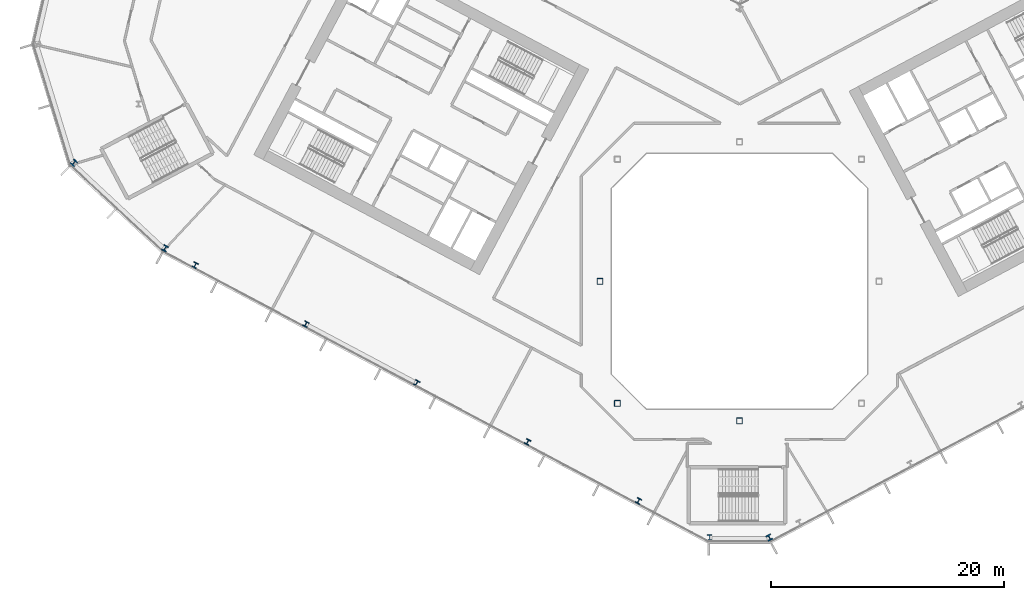
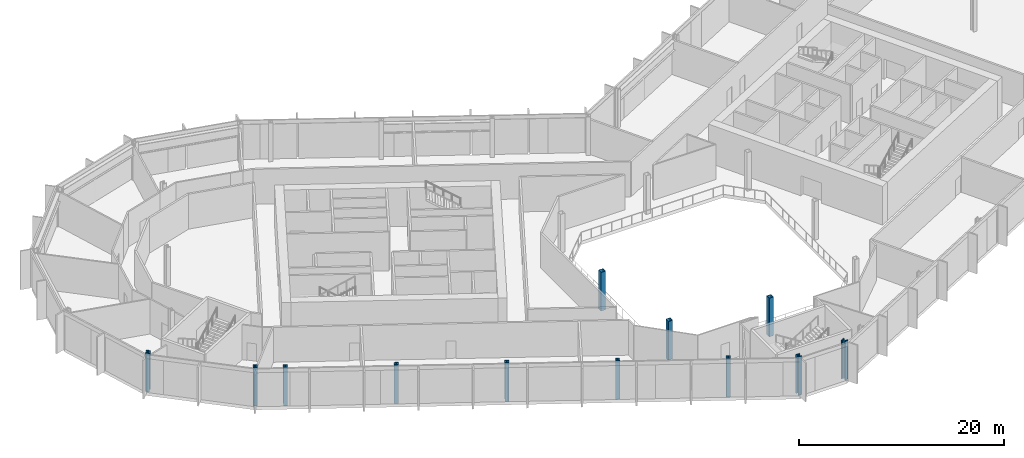
# One storey, part 1 of 31: 12 columns.
"""IFC4 building model written with IfcOpenShell, lengths in metres."""

from ifc_helpers import new_model, si_unit, direction, frame, origin, origin_2d, place, context, subcontext, project, spatial, hollow_rectangle, i_section, extrude, material, material_profile, profile_set, type_object, element, save


model = new_model("IFC4")

# Units and contexts
model_context = context("Model", 3, precision=1e-05, world=origin(), true_north=direction((0.0, 1.0)))
body_context = subcontext(model_context, "Body", "Model", "MODEL_VIEW")
ifc_project = project(units=[si_unit("LENGTHUNIT", "METRE"), si_unit("AREAUNIT", "SQUARE_METRE"), si_unit("VOLUMEUNIT", "CUBIC_METRE"), si_unit("PLANEANGLEUNIT", "RADIAN"), si_unit("MASSUNIT", "GRAM", prefix="KILO")], contexts=[model_context])

# Site, building, storey
site_placement = place(None, origin())
site = spatial("IfcSite", under=ifc_project, at=site_placement, CompositionType="ELEMENT")
building_placement = place(site_placement, origin())
building = spatial("IfcBuilding", under=site, at=building_placement, Name="Cormorant Relay Tower", CompositionType="ELEMENT")
storey_placement = place(building_placement, frame((0.0, 0.0, 107.60009765625)))
storey = spatial("IfcBuildingStorey", under=building, at=storey_placement, Name="L21", CompositionType="ELEMENT", Elevation=107.60009765625)

# Columns
ifc_material_1 = material(Name="Steel ASTM A500 Grade C (Fy 345 MPa)", Category="steel")
ifc_material_profile_1 = material_profile(ifc_material_1, hollow_rectangle(XDim=0.508056640625, YDim=0.508056640625, WallThickness=0.020751953125, InnerFilletRadius=0.01025390625, OuterFilletRadius=0.031005859375, at=origin_2d()), Name="HSS508x508x21")
ifc_profile_set_1 = profile_set([ifc_material_profile_1], Name="Steel ASTM A500 Grade C (Fy 345 MPa)")
column_type_1 = type_object("IfcColumnType", Name="Column HSS508x508x21", PredefinedType="COLUMN", material=ifc_profile_set_1)
for number, where, z_axis, x_axis, name in (
    (1, (0.0, -12.0, 0.0), (0.0, 0.0, 1.0), (1.0, 0.0, 0.0), "Column L21-007"),
    (2, (-10.5, -10.5, 0.0), (0.0, 0.0, 1.0), (1.0, 0.0, 0.0), "Column L21-009"),
    (3, (-12.0, 0.0, 0.0), (0.0, 0.0, 1.0), (1.0, 0.0, 0.0), "Column L21-015"),
):
    element("IfcColumn", number, at=place(storey_placement, frame(where, z_axis=z_axis, x_axis=x_axis)), inside=storey, type_object=column_type_1, Name=name, PredefinedType="COLUMN", context=body_context, shape_type="SweptSolid", body=[
        extrude(hollow_rectangle(XDim=0.508056640625, YDim=0.508056640625, WallThickness=0.020751953125, InnerFilletRadius=0.01025390625, OuterFilletRadius=0.031005859375, at=origin_2d()), origin(), (0.0, 0.0, 1.0), 4.599853515625),
    ])
ifc_material_2 = material(Name="Steel ASTM A992 (Fy 345 MPa)", Category="steel")
ifc_material_profile_2 = material_profile(ifc_material_2, i_section(OverallWidth=0.42431640625, OverallDepth=0.47509765625, WebThickness=0.0478515625, FlangeThickness=0.0771484375, FilletRadius=0.014892578125, at=origin_2d()), Name="W360x634")
ifc_profile_set_2 = profile_set([ifc_material_profile_2], Name="Steel ASTM A992 (Fy 345 MPa)")
column_type_2 = type_object("IfcColumnType", Name="Column W360x634", PredefinedType="COLUMN", material=ifc_profile_set_2)
for number, where, z_axis, x_axis, name in (
    (4, (-8.68701171875, -18.89306640625, 0.0), (0.0, 0.0, 1.0), (0.882947592859, -0.469471562786, 0.0), "Column L21-004"),
    (5, (-18.222900390625, -13.822998046875, 0.0), (0.0, 0.0, 1.0), (0.882947592859, -0.469471562786, 0.0), "Column L21-006"),
    (6, (-27.758056640625, -8.7529296875, 0.0), (0.0, 0.0, 1.0), (0.882947592859, -0.469471562786, 0.0), "Column L21-011"),
    (7, (-37.2939453125, -3.681884765625, 0.0), (0.0, 0.0, 1.0), (0.882947592859, -0.469471562786, 0.0), "Column L21-013"),
    (8, (-46.830078125, 1.387939453125, 0.0), (0.0, 0.0, 1.0), (0.882947592859, -0.469471562786, 0.0), "Column L21-017"),
):
    element("IfcColumn", number, at=place(storey_placement, frame(where, z_axis=z_axis, x_axis=x_axis)), inside=storey, type_object=column_type_2, Name=name, PredefinedType="COLUMN", context=body_context, shape_type="SweptSolid", body=[
        extrude(i_section(OverallWidth=0.42431640625, OverallDepth=0.47509765625, WebThickness=0.0478515625, FlangeThickness=0.0771484375, FilletRadius=0.014892578125, at=origin_2d()), origin(), (0.0, 0.0, 1.0), 4.599853515625),
    ])
ifc_material_3 = material(Name="Steel ASTM A992 (Fy 345 MPa)", Category="steel")
ifc_material_profile_3 = material_profile(ifc_material_3, i_section(OverallWidth=0.43701171875, OverallDepth=0.51318359375, WebThickness=0.060546875, FlangeThickness=0.096923828125, FilletRadius=0.015380859375, at=origin_2d()), Name="W360x818")
ifc_profile_set_3 = profile_set([ifc_material_profile_3], Name="Steel ASTM A992 (Fy 345 MPa)")
column_type_3 = type_object("IfcColumnType", Name="Column W360x818", PredefinedType="COLUMN", material=ifc_profile_set_3)
for number, where, z_axis, x_axis, name in (
    (9, (-2.56689453125, -22.0458984375, 0.0), (0.0, 0.0, 1.0), (1.0, 0.0, 0.0), "Column L21-001"),
    (10, (2.56689453125, -22.0458984375, 0.0), (0.0, 0.0, 1.0), (0.882947592859, 0.469471562786, 0.0), "Column L21-002"),
    (11, (-49.412109375, 2.8369140625, 0.0), (0.0, 0.0, 1.0), (0.882947592859, -0.469471562786, 0.0), "Column L21-018"),
    (12, (-57.2451171875, 10.18310546875, 0.0), (0.0, 0.0, 1.0), (0.731353701619, -0.681998360062, 0.0), "Column L21-021"),
):
    element("IfcColumn", number, at=place(storey_placement, frame(where, z_axis=z_axis, x_axis=x_axis)), inside=storey, type_object=column_type_3, Name=name, PredefinedType="COLUMN", context=body_context, shape_type="SweptSolid", body=[
        extrude(i_section(OverallWidth=0.43701171875, OverallDepth=0.51318359375, WebThickness=0.060546875, FlangeThickness=0.096923828125, FilletRadius=0.015380859375, at=origin_2d()), origin(), (0.0, 0.0, 1.0), 4.599853515625),
    ])

save(model, "model.ifc")
